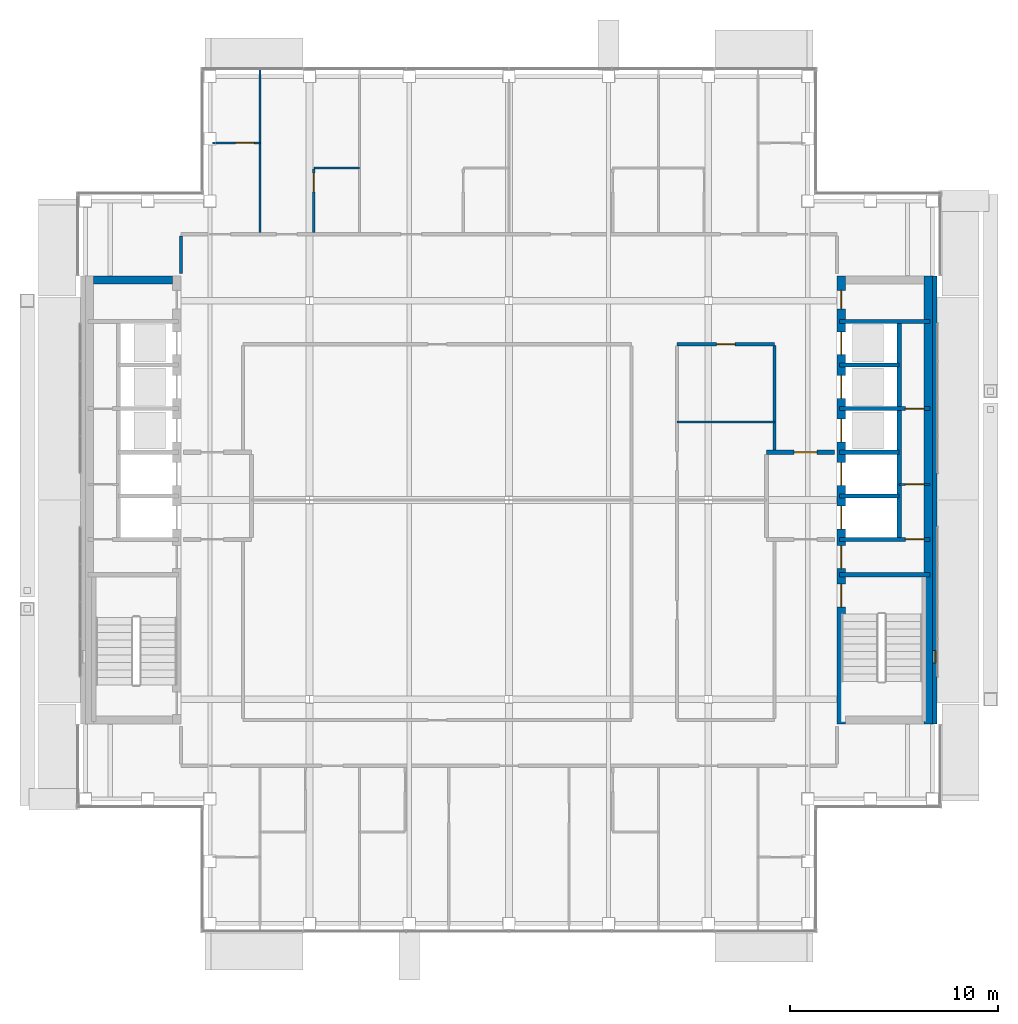
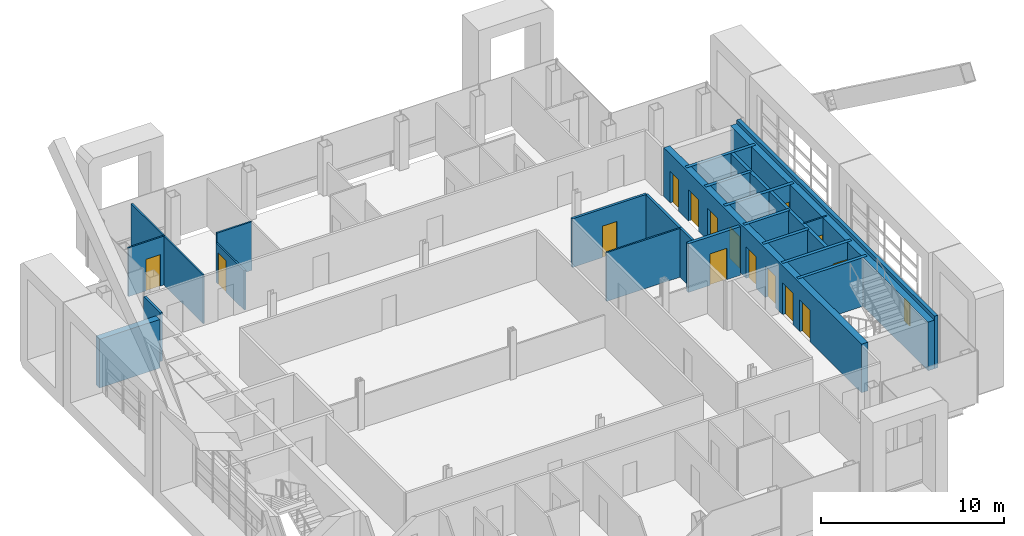
# One storey, part 14 of 23: 23 walls, 15 doors, 1 window, 16 openings.
"""IFC4 building model written with IfcOpenShell, lengths in metres."""

from ifc_helpers import new_model, si_unit, direction, frame, frame_2d, origin, place, context, subcontext, project, spatial, rectangle, extrude, material, layer, layer_set, type_object, element, fill, save


model = new_model("IFC4")

# Units and contexts
model_context = context("Model", 3, precision=1e-05, world=origin(), true_north=direction((0.0, 1.0)))
body_context = subcontext(model_context, "Body", "Model", "MODEL_VIEW")
ifc_project = project(units=[si_unit("LENGTHUNIT", "METRE"), si_unit("AREAUNIT", "SQUARE_METRE"), si_unit("VOLUMEUNIT", "CUBIC_METRE"), si_unit("PLANEANGLEUNIT", "RADIAN"), si_unit("MASSUNIT", "GRAM", prefix="KILO")], contexts=[model_context])

# Site, building, storey
site_placement = place(None, origin())
site = spatial("IfcSite", under=ifc_project, at=site_placement, CompositionType="ELEMENT")
building_placement = place(site_placement, origin())
building = spatial("IfcBuilding", under=site, at=building_placement, Name="Cobrizo Arcos Hotel Tower", CompositionType="ELEMENT")
storey_placement = place(building_placement, frame((0.0, 0.0, 262.0)))
storey = spatial("IfcBuildingStorey", under=building, at=storey_placement, Name="L69", CompositionType="ELEMENT", Elevation=262.0)

# Wall, opening, door
ifc_material_1 = material(Name="Gypsum board partition")
ifc_layer_1 = layer(ifc_material_1, 0.14990234375)
ifc_layer_set_1 = layer_set([ifc_layer_1], Name="Corridor wall EI 60 150")
wall_type_1 = type_object("IfcWallType", Name="Corridor wall EI 60 150", PredefinedType="PARTITIONING", material=ifc_layer_set_1)
wall_1_placement = place(storey_placement, frame((8.10009765625, 7.5, 0.0), z_axis=(0.0, 0.0, 1.0), x_axis=(1.0, 0.0, 0.0)))
wall_1 = element("IfcWall", 1, at=wall_1_placement, inside=storey, type_object=wall_type_1, Name="Partition 037", PredefinedType="PARTITIONING", context=body_context, shape_type="SweptSolid", body=[
    extrude(rectangle(XDim=4.699951171875, YDim=0.14990234375, at=frame_2d((2.35009765625, 0.0))), origin(), (0.0, 0.0, 1.0), 3.25),
])
opening_1_placement = place(wall_1_placement, frame((1.89990234375, 0.0, 0.0)))
opening_1 = element("IfcOpeningElement", 2, at=opening_1_placement, cuts=wall_1, Name="Opening ED-13", PredefinedType="OPENING", context=body_context, shape_type="SweptSolid", body=[
    extrude(rectangle(XDim=0.89990234375, YDim=2.10009765625, at=frame_2d((0.449951171875, 1.050048828125))), frame((0.0, 0.0869140625, 0.0), z_axis=(0.0, -1.0, 0.0), x_axis=(1.0, 0.0, 0.0)), (0.0, 0.0, 1.0), 0.173828125),
])
ifc_material_2 = material(Name="Timber door leaf", Category="wood")
door_type_1 = type_object("IfcDoorType", Name="En-suite door 900x2100", OperationType="SINGLE_SWING_LEFT", PredefinedType="DOOR", material=ifc_material_2)
door_1_placement = place(opening_1_placement, origin())
door_1 = element("IfcDoor", 3, at=door_1_placement, inside=storey, type_object=door_type_1, Name="Door ED-13", OperationType="SINGLE_SWING_LEFT", OverallHeight=2.10009765625, OverallWidth=0.89990234375, PredefinedType="DOOR", context=body_context, shape_type="SweptSolid", body=[
    extrude(rectangle(XDim=0.89990234375, YDim=2.10009765625, at=frame_2d((0.449951171875, 1.050048828125))), frame((0.0, 0.02490234375, 0.0), z_axis=(0.0, -1.0, 0.0), x_axis=(1.0, 0.0, 0.0)), (0.0, 0.0, 1.0), 0.050048828125),
])
fill(opening_1, door_1)

# Walls
wall_2_placement = place(storey_placement, frame((-15.800048828125, 10.919921875, 0.0), z_axis=(0.0, 0.0, 1.0), x_axis=(0.0, 1.0, 0.0)))
element("IfcWall", 4, at=wall_2_placement, inside=storey, type_object=wall_type_1, Name="Partition 050", PredefinedType="PARTITIONING", context=body_context, shape_type="SweptSolid", body=[
    extrude(rectangle(XDim=1.80517578125, YDim=0.14990234375, at=frame_2d((0.902587890625, 0.0))), origin(), (0.0, 0.0, 1.0), 3.25),
])
wall_3_placement = place(storey_placement, frame((12.800048828125, 2.39990234375, 0.0), z_axis=(0.0, 0.0, 1.0), x_axis=(0.0, 1.0, 0.0)))
element("IfcWall", 5, at=wall_3_placement, inside=storey, type_object=wall_type_1, Name="Partition 077", PredefinedType="PARTITIONING", context=body_context, shape_type="SweptSolid", body=[
    extrude(rectangle(XDim=5.050048828125, YDim=0.14990234375, at=frame_2d((2.52490234375, 0.0))), origin(), (0.0, 0.0, 1.0), 3.25),
])

# Wall, opening, window
ifc_material_3 = material(Name="Aluminium composite panel pale metal", Category="aluminium")
ifc_layer_2 = layer(ifc_material_3, 0.22509765625)
ifc_layer_set_2 = layer_set([ifc_layer_2], Name="EW-1 insulated panel wall 225")
wall_type_2 = type_object("IfcWallType", Name="EW-1 insulated panel wall 225", PredefinedType="SOLIDWALL", material=ifc_layer_set_2)
wall_4_placement = place(storey_placement, frame((20.512451171875, -10.800048828125, 0.0), z_axis=(0.0, 0.0, 1.0), x_axis=(0.0, 1.0, 0.0)))
wall_4 = element("IfcWall", 6, at=wall_4_placement, inside=storey, type_object=wall_type_2, Name="Core face wall L69 E", PredefinedType="SOLIDWALL", context=body_context, shape_type="SweptSolid", body=[
    extrude(rectangle(XDim=21.60009765625, YDim=0.22509765625, at=frame_2d((10.800048828125, 0.0))), origin(), (0.0, 0.0, 1.0), 3.5),
])
opening_2_placement = place(wall_4_placement, frame((2.949951171875, 0.0, 1.0)))
opening_2 = element("IfcOpeningElement", 7, at=opening_2_placement, cuts=wall_4, Name="Opening W-157", PredefinedType="OPENING", context=body_context, shape_type="SweptSolid", body=[
    extrude(rectangle(XDim=0.60009765625, YDim=1.5, at=frame_2d((0.300048828125, 0.75))), frame((0.0, 0.12451171875, 0.0), z_axis=(0.0, -1.0, 0.0), x_axis=(1.0, 0.0, 0.0)), (0.0, 0.0, 1.0), 0.2490234375),
])
ifc_material_4 = material(Name="Aluminium 6063-T6 and clear laminated glass", Category="aluminium")
window_type = type_object("IfcWindowType", Name="W-C1 core stair slot window 600x1500", PartitioningType="SINGLE_PANEL", PredefinedType="WINDOW", material=ifc_material_4)
window_placement = place(opening_2_placement, origin())
window = element("IfcWindow", 8, at=window_placement, inside=storey, type_object=window_type, Name="Core face wall L69 E window W-157", OverallHeight=1.5, OverallWidth=0.60009765625, PartitioningType="SINGLE_PANEL", PredefinedType="WINDOW", context=body_context, shape_type="SweptSolid", body=[
    extrude(rectangle(XDim=0.60009765625, YDim=1.5, at=frame_2d((0.300048828125, 0.75))), frame((0.0, -0.0224609375, 0.0), z_axis=(0.0, -1.0, 0.0), x_axis=(1.0, 0.0, 0.0)), (0.0, 0.0, 1.0), 0.06005859375),
])
fill(opening_2, window)

# Wall, opening, door
ifc_layer_3 = layer(ifc_material_1, 0.10009765625)
ifc_layer_set_3 = layer_set([ifc_layer_3], Name="Partition EI 30 100")
wall_type_3 = type_object("IfcWallType", Name="Partition EI 30 100", PredefinedType="PARTITIONING", material=ifc_layer_set_3)
wall_5_placement = place(storey_placement, frame((18.800048828125, 0.75, 0.0), z_axis=(0.0, 0.0, 1.0), x_axis=(1.0, 0.0, 0.0)))
wall_5 = element("IfcWall", 9, at=wall_5_placement, inside=storey, type_object=wall_type_3, Name="Partition 026", PredefinedType="PARTITIONING", context=body_context, shape_type="SweptSolid", body=[
    extrude(rectangle(XDim=1.47998046875, YDim=0.10009765625, at=frame_2d((0.739990234375, 0.0))), origin(), (0.0, 0.0, 1.0), 3.25),
])
opening_3_placement = place(wall_5_placement, frame((0.300048828125, 0.0, 0.0)))
opening_3 = element("IfcOpeningElement", 10, at=opening_3_placement, cuts=wall_5, Name="Opening RD-07", PredefinedType="OPENING", context=body_context, shape_type="SweptSolid", body=[
    extrude(rectangle(XDim=0.89990234375, YDim=2.10009765625, at=frame_2d((0.449951171875, 1.050048828125))), frame((0.0, 0.06201171875, 0.0), z_axis=(0.0, -1.0, 0.0), x_axis=(1.0, 0.0, 0.0)), (0.0, 0.0, 1.0), 0.1240234375),
])
door_type_2 = type_object("IfcDoorType", Name="Room door FD30 900x2100", OperationType="SINGLE_SWING_LEFT", PredefinedType="DOOR", material=ifc_material_2)
door_2_placement = place(opening_3_placement, origin())
door_2 = element("IfcDoor", 11, at=door_2_placement, inside=storey, type_object=door_type_2, Name="Door RD-07", OperationType="SINGLE_SWING_RIGHT", OverallHeight=2.10009765625, OverallWidth=0.89990234375, PredefinedType="DOOR", context=body_context, shape_type="SweptSolid", body=[
    extrude(rectangle(XDim=0.89990234375, YDim=2.10009765625, at=frame_2d((0.449951171875, 1.050048828125))), frame((0.0, 0.02490234375, 0.0), z_axis=(0.0, -1.0, 0.0), x_axis=(1.0, 0.0, 0.0)), (0.0, 0.0, 1.0), 0.050048828125),
])
fill(opening_3, door_2)

# Walls
wall_6_placement = place(storey_placement, frame((8.10009765625, 3.75, 0.0), z_axis=(0.0, 0.0, 1.0), x_axis=(1.0, 0.0, 0.0)))
element("IfcWall", 12, at=wall_6_placement, inside=storey, type_object=wall_type_3, Name="Partition 031", PredefinedType="PARTITIONING", context=body_context, shape_type="SweptSolid", body=[
    extrude(rectangle(XDim=4.699951171875, YDim=0.10009765625, at=frame_2d((2.35009765625, 0.0))), origin(), (0.0, 0.0, 1.0), 3.25),
])
wall_7_placement = place(storey_placement, frame((-9.39990234375, 16.0, 0.0), z_axis=(0.0, 0.0, 1.0), x_axis=(1.0, 0.0, 0.0)))
element("IfcWall", 13, at=wall_7_placement, inside=storey, type_object=wall_type_3, Name="Partition 041", PredefinedType="PARTITIONING", context=body_context, shape_type="SweptSolid", body=[
    extrude(rectangle(XDim=2.199951171875, YDim=0.10009765625, at=frame_2d((1.10009765625, 0.0))), origin(), (0.0, 0.0, 1.0), 3.25),
])

# Wall, opening, door
wall_8_placement = place(storey_placement, frame((-14.280029296875, 17.199951171875, 0.0), z_axis=(0.0, 0.0, 1.0), x_axis=(1.0, 0.0, 0.0)))
wall_8 = element("IfcWall", 14, at=wall_8_placement, inside=storey, type_object=wall_type_3, Name="Partition 044", PredefinedType="PARTITIONING", context=body_context, shape_type="SweptSolid", body=[
    extrude(rectangle(XDim=2.280029296875, YDim=0.10009765625, at=frame_2d((1.14013671875, 0.0))), origin(), (0.0, 0.0, 1.0), 3.25),
])
opening_4_placement = place(wall_8_placement, frame((1.110107421875, 0.0, 0.0)))
opening_4 = element("IfcOpeningElement", 15, at=opening_4_placement, cuts=wall_8, Name="Opening ED-09", PredefinedType="OPENING", context=body_context, shape_type="SweptSolid", body=[
    extrude(rectangle(XDim=0.89990234375, YDim=2.10009765625, at=frame_2d((0.449951171875, 1.050048828125))), frame((0.0, 0.06201171875, 0.0), z_axis=(0.0, -1.0, 0.0), x_axis=(1.0, 0.0, 0.0)), (0.0, 0.0, 1.0), 0.1240234375),
])
door_3_placement = place(opening_4_placement, origin())
door_3 = element("IfcDoor", 16, at=door_3_placement, inside=storey, type_object=door_type_1, Name="Door ED-09", OperationType="SINGLE_SWING_RIGHT", OverallHeight=2.10009765625, OverallWidth=0.89990234375, PredefinedType="DOOR", context=body_context, shape_type="SweptSolid", body=[
    extrude(rectangle(XDim=0.89990234375, YDim=2.10009765625, at=frame_2d((0.449951171875, 1.050048828125))), frame((0.0, 0.02490234375, 0.0), z_axis=(0.0, -1.0, 0.0), x_axis=(1.0, 0.0, 0.0)), (0.0, 0.0, 1.0), 0.050048828125),
])
fill(opening_4, door_3)

# Wall
wall_9_placement = place(storey_placement, frame((-12.0, 12.875, 0.0), z_axis=(0.0, 0.0, 1.0), x_axis=(0.0, 1.0, 0.0)))
element("IfcWall", 17, at=wall_9_placement, inside=storey, type_object=wall_type_3, Name="Partition 055", PredefinedType="PARTITIONING", context=body_context, shape_type="SweptSolid", body=[
    extrude(rectangle(XDim=7.85498046875, YDim=0.10009765625, at=frame_2d((3.927490234375, 0.0))), origin(), (0.0, 0.0, 1.0), 3.25),
])

# Wall, opening, door
wall_10_placement = place(storey_placement, frame((-9.39990234375, 12.875, 0.0), z_axis=(0.0, 0.0, 1.0), x_axis=(0.0, 1.0, 0.0)))
wall_10 = element("IfcWall", 18, at=wall_10_placement, inside=storey, type_object=wall_type_3, Name="Partition 057", PredefinedType="PARTITIONING", context=body_context, shape_type="SweptSolid", body=[
    extrude(rectangle(XDim=3.074951171875, YDim=0.10009765625, at=frame_2d((1.53759765625, 0.0))), origin(), (0.0, 0.0, 1.0), 2.6279296875),
])
opening_5_placement = place(wall_10_placement, frame((1.970947265625, 0.0, 0.0)))
opening_5 = element("IfcOpeningElement", 19, at=opening_5_placement, cuts=wall_10, Name="Opening ED-01", PredefinedType="OPENING", context=body_context, shape_type="SweptSolid", body=[
    extrude(rectangle(XDim=0.89990234375, YDim=2.10009765625, at=frame_2d((0.449951171875, 1.050048828125))), frame((0.0, 0.06201171875, 0.0), z_axis=(0.0, -1.0, 0.0), x_axis=(1.0, 0.0, 0.0)), (0.0, 0.0, 1.0), 0.1240234375),
])
door_4_placement = place(opening_5_placement, origin())
door_4 = element("IfcDoor", 20, at=door_4_placement, inside=storey, type_object=door_type_1, Name="Door ED-01", OperationType="SINGLE_SWING_LEFT", OverallHeight=2.10009765625, OverallWidth=0.89990234375, PredefinedType="DOOR", context=body_context, shape_type="SweptSolid", body=[
    extrude(rectangle(XDim=0.89990234375, YDim=2.10009765625, at=frame_2d((0.449951171875, 1.050048828125))), frame((0.0, 0.02490234375, 0.0), z_axis=(0.0, -1.0, 0.0), x_axis=(1.0, 0.0, 0.0)), (0.0, 0.0, 1.0), 0.050048828125),
])
fill(opening_5, door_4)

# Wall, openings, doors
ifc_material_5 = material(Name="Concrete f'c 40 MPa", Category="concrete")
ifc_layer_4 = layer(ifc_material_5, 0.39990234375)
ifc_layer_set_4 = layer_set([ifc_layer_4], Name="RC core wall 400 f'c 40")
wall_type_4 = type_object("IfcWallType", Name="RC core wall 400 f'c 40", PredefinedType="SHEAR", material=ifc_layer_set_4)
wall_11_placement = place(storey_placement, frame((16.0, -10.800048828125, 0.0), z_axis=(0.0, 0.0, 1.0), x_axis=(0.0, 1.0, 0.0)))
wall_11 = element("IfcWall", 21, at=wall_11_placement, inside=storey, type_object=wall_type_4, Name="Core wall CW4, east core, inner face, L69", PredefinedType="SHEAR", context=body_context, shape_type="SweptSolid", body=[
    extrude(rectangle(XDim=21.60009765625, YDim=0.39990234375, at=frame_2d((10.800048828125, 0.0))), origin(), (0.0, 0.0, 1.0), 3.25),
])
opening_6_placement = place(wall_11_placement, frame((9.39990234375, 0.0, 0.0)))
opening_6 = element("IfcOpeningElement", 22, at=opening_6_placement, cuts=wall_11, Name="Opening LD-06", PredefinedType="OPENING", context=body_context, shape_type="SweptSolid", body=[
    extrude(rectangle(XDim=1.10009765625, YDim=2.10009765625, at=frame_2d((0.550048828125, 1.050048828125))), frame((0.0, 0.2119140625, 0.0), z_axis=(0.0, -1.0, 0.0), x_axis=(1.0, 0.0, 0.0)), (0.0, 0.0, 1.0), 0.423828125),
])
opening_7_placement = place(wall_11_placement, frame((11.5, 0.0, 0.0)))
opening_7 = element("IfcOpeningElement", 23, at=opening_7_placement, cuts=wall_11, Name="Opening LD-07", PredefinedType="OPENING", context=body_context, shape_type="SweptSolid", body=[
    extrude(rectangle(XDim=1.10009765625, YDim=2.10009765625, at=frame_2d((0.550048828125, 1.050048828125))), frame((0.0, 0.2119140625, 0.0), z_axis=(0.0, -1.0, 0.0), x_axis=(1.0, 0.0, 0.0)), (0.0, 0.0, 1.0), 0.423828125),
])
opening_8_placement = place(wall_11_placement, frame((13.60009765625, 0.0, 0.0)))
opening_8 = element("IfcOpeningElement", 24, at=opening_8_placement, cuts=wall_11, Name="Opening LD-08", PredefinedType="OPENING", context=body_context, shape_type="SweptSolid", body=[
    extrude(rectangle(XDim=1.10009765625, YDim=2.10009765625, at=frame_2d((0.550048828125, 1.050048828125))), frame((0.0, 0.2119140625, 0.0), z_axis=(0.0, -1.0, 0.0), x_axis=(1.0, 0.0, 0.0)), (0.0, 0.0, 1.0), 0.423828125),
])
opening_9_placement = place(wall_11_placement, frame((15.699951171875, 0.0, 0.0)))
opening_9 = element("IfcOpeningElement", 25, at=opening_9_placement, cuts=wall_11, Name="Opening LD-09", PredefinedType="OPENING", context=body_context, shape_type="SweptSolid", body=[
    extrude(rectangle(XDim=1.10009765625, YDim=2.10009765625, at=frame_2d((0.550048828125, 1.050048828125))), frame((0.0, 0.2119140625, 0.0), z_axis=(0.0, -1.0, 0.0), x_axis=(1.0, 0.0, 0.0)), (0.0, 0.0, 1.0), 0.423828125),
])
opening_10_placement = place(wall_11_placement, frame((17.800048828125, 0.0, 0.0)))
opening_10 = element("IfcOpeningElement", 26, at=opening_10_placement, cuts=wall_11, Name="Opening LD-10", PredefinedType="OPENING", context=body_context, shape_type="SweptSolid", body=[
    extrude(rectangle(XDim=1.10009765625, YDim=2.10009765625, at=frame_2d((0.550048828125, 1.050048828125))), frame((0.0, 0.2119140625, 0.0), z_axis=(0.0, -1.0, 0.0), x_axis=(1.0, 0.0, 0.0)), (0.0, 0.0, 1.0), 0.423828125),
])
opening_11_placement = place(wall_11_placement, frame((5.64208984375, 0.0, 0.0)))
opening_11 = element("IfcOpeningElement", 27, at=opening_11_placement, cuts=wall_11, Name="Opening SD-02", PredefinedType="OPENING", context=body_context, shape_type="SweptSolid", body=[
    extrude(rectangle(XDim=1.10009765625, YDim=2.10009765625, at=frame_2d((0.550048828125, 1.050048828125))), frame((0.0, 0.2119140625, 0.0), z_axis=(0.0, -1.0, 0.0), x_axis=(1.0, 0.0, 0.0)), (0.0, 0.0, 1.0), 0.423828125),
])
opening_12_placement = place(wall_11_placement, frame((7.5, 0.0, 0.0)))
opening_12 = element("IfcOpeningElement", 28, at=opening_12_placement, cuts=wall_11, Name="Opening FD-04", PredefinedType="OPENING", context=body_context, shape_type="SweptSolid", body=[
    extrude(rectangle(XDim=1.10009765625, YDim=2.10009765625, at=frame_2d((0.550048828125, 1.050048828125))), frame((0.0, 0.2119140625, 0.0), z_axis=(0.0, -1.0, 0.0), x_axis=(1.0, 0.0, 0.0)), (0.0, 0.0, 1.0), 0.423828125),
])
opening_13_placement = place(wall_11_placement, frame((20.0, 0.0, 0.0)))
opening_13 = element("IfcOpeningElement", 29, at=opening_13_placement, cuts=wall_11, Name="Opening RD-05", PredefinedType="OPENING", context=body_context, shape_type="SweptSolid", body=[
    extrude(rectangle(XDim=0.89990234375, YDim=2.10009765625, at=frame_2d((0.449951171875, 1.050048828125))), frame((0.0, 0.2119140625, 0.0), z_axis=(0.0, -1.0, 0.0), x_axis=(1.0, 0.0, 0.0)), (0.0, 0.0, 1.0), 0.423828125),
])
ifc_material_6 = material(Name="Steel door leaf", Category="steel")
door_type_3 = type_object("IfcDoorType", Name="Fire door FD60 1100x2100", OperationType="SINGLE_SWING_LEFT", PredefinedType="DOOR", material=ifc_material_6)
door_5_placement = place(opening_12_placement, origin())
door_5 = element("IfcDoor", 30, at=door_5_placement, inside=storey, type_object=door_type_3, Name="Door FD-04", OperationType="SINGLE_SWING_RIGHT", OverallHeight=2.10009765625, OverallWidth=1.10009765625, PredefinedType="DOOR", context=body_context, shape_type="SweptSolid", body=[
    extrude(rectangle(XDim=1.10009765625, YDim=2.10009765625, at=frame_2d((0.550048828125, 1.050048828125))), frame((0.0, 0.02490234375, 0.0), z_axis=(0.0, -1.0, 0.0), x_axis=(1.0, 0.0, 0.0)), (0.0, 0.0, 1.0), 0.050048828125),
])
fill(opening_12, door_5)
door_type_4 = type_object("IfcDoorType", Name="Lift landing door 1100x2100", OperationType="SLIDING_TO_LEFT", PredefinedType="DOOR", material=ifc_material_6)
door_6_placement = place(opening_6_placement, origin())
door_6 = element("IfcDoor", 31, at=door_6_placement, inside=storey, type_object=door_type_4, Name="Lift landing door LD-06", OperationType="SLIDING_TO_LEFT", OverallHeight=2.10009765625, OverallWidth=1.10009765625, PredefinedType="DOOR", context=body_context, shape_type="SweptSolid", body=[
    extrude(rectangle(XDim=1.10009765625, YDim=2.10009765625, at=frame_2d((0.550048828125, 1.050048828125))), frame((0.0, 0.02490234375, 0.0), z_axis=(0.0, -1.0, 0.0), x_axis=(1.0, 0.0, 0.0)), (0.0, 0.0, 1.0), 0.050048828125),
])
fill(opening_6, door_6)
door_7_placement = place(opening_7_placement, origin())
door_7 = element("IfcDoor", 32, at=door_7_placement, inside=storey, type_object=door_type_4, Name="Lift landing door LD-07", OperationType="SLIDING_TO_LEFT", OverallHeight=2.10009765625, OverallWidth=1.10009765625, PredefinedType="DOOR", context=body_context, shape_type="SweptSolid", body=[
    extrude(rectangle(XDim=1.10009765625, YDim=2.10009765625, at=frame_2d((0.550048828125, 1.050048828125))), frame((0.0, 0.02490234375, 0.0), z_axis=(0.0, -1.0, 0.0), x_axis=(1.0, 0.0, 0.0)), (0.0, 0.0, 1.0), 0.050048828125),
])
fill(opening_7, door_7)
door_8_placement = place(opening_8_placement, origin())
door_8 = element("IfcDoor", 33, at=door_8_placement, inside=storey, type_object=door_type_4, Name="Lift landing door LD-08", OperationType="SLIDING_TO_LEFT", OverallHeight=2.10009765625, OverallWidth=1.10009765625, PredefinedType="DOOR", context=body_context, shape_type="SweptSolid", body=[
    extrude(rectangle(XDim=1.10009765625, YDim=2.10009765625, at=frame_2d((0.550048828125, 1.050048828125))), frame((0.0, 0.02490234375, 0.0), z_axis=(0.0, -1.0, 0.0), x_axis=(1.0, 0.0, 0.0)), (0.0, 0.0, 1.0), 0.050048828125),
])
fill(opening_8, door_8)
door_9_placement = place(opening_9_placement, origin())
door_9 = element("IfcDoor", 34, at=door_9_placement, inside=storey, type_object=door_type_4, Name="Lift landing door LD-09", OperationType="SLIDING_TO_LEFT", OverallHeight=2.10009765625, OverallWidth=1.10009765625, PredefinedType="DOOR", context=body_context, shape_type="SweptSolid", body=[
    extrude(rectangle(XDim=1.10009765625, YDim=2.10009765625, at=frame_2d((0.550048828125, 1.050048828125))), frame((0.0, 0.02490234375, 0.0), z_axis=(0.0, -1.0, 0.0), x_axis=(1.0, 0.0, 0.0)), (0.0, 0.0, 1.0), 0.050048828125),
])
fill(opening_9, door_9)
door_10_placement = place(opening_10_placement, origin())
door_10 = element("IfcDoor", 35, at=door_10_placement, inside=storey, type_object=door_type_4, Name="Lift landing door LD-10", OperationType="SLIDING_TO_LEFT", OverallHeight=2.10009765625, OverallWidth=1.10009765625, PredefinedType="DOOR", context=body_context, shape_type="SweptSolid", body=[
    extrude(rectangle(XDim=1.10009765625, YDim=2.10009765625, at=frame_2d((0.550048828125, 1.050048828125))), frame((0.0, 0.02490234375, 0.0), z_axis=(0.0, -1.0, 0.0), x_axis=(1.0, 0.0, 0.0)), (0.0, 0.0, 1.0), 0.050048828125),
])
fill(opening_10, door_10)
door_11_placement = place(opening_13_placement, origin())
door_11 = element("IfcDoor", 36, at=door_11_placement, inside=storey, type_object=door_type_2, Name="Door RD-05", OperationType="SINGLE_SWING_LEFT", OverallHeight=2.10009765625, OverallWidth=0.89990234375, PredefinedType="DOOR", context=body_context, shape_type="SweptSolid", body=[
    extrude(rectangle(XDim=0.89990234375, YDim=2.10009765625, at=frame_2d((0.449951171875, 1.050048828125))), frame((0.0, 0.02490234375, 0.0), z_axis=(0.0, -1.0, 0.0), x_axis=(1.0, 0.0, 0.0)), (0.0, 0.0, 1.0), 0.050048828125),
])
fill(opening_13, door_11)
door_type_5 = type_object("IfcDoorType", Name="Stair door FD60S 1100x2100", OperationType="SINGLE_SWING_LEFT", PredefinedType="DOOR", material=ifc_material_6)
door_12_placement = place(opening_11_placement, origin())
door_12 = element("IfcDoor", 37, at=door_12_placement, inside=storey, type_object=door_type_5, Name="Door SD-02", OperationType="SINGLE_SWING_LEFT", OverallHeight=2.10009765625, OverallWidth=1.10009765625, PredefinedType="DOOR", context=body_context, shape_type="SweptSolid", body=[
    extrude(rectangle(XDim=1.10009765625, YDim=2.10009765625, at=frame_2d((0.550048828125, 1.050048828125))), frame((0.0, 0.02490234375, 0.0), z_axis=(0.0, -1.0, 0.0), x_axis=(1.0, 0.0, 0.0)), (0.0, 0.0, 1.0), 0.050048828125),
])
fill(opening_11, door_12)

# Walls
wall_12_placement = place(storey_placement, frame((20.199951171875, -10.800048828125, 0.0), z_axis=(0.0, 0.0, 1.0), x_axis=(0.0, 1.0, 0.0)))
element("IfcWall", 38, at=wall_12_placement, inside=storey, type_object=wall_type_4, Name="Core wall CW4, east core, outer face, L69", PredefinedType="SHEAR", context=body_context, shape_type="SweptSolid", body=[
    extrude(rectangle(XDim=21.60009765625, YDim=0.39990234375, at=frame_2d((10.800048828125, 0.0))), origin(), (0.0, 0.0, 1.0), 3.25),
])
wall_13_placement = place(storey_placement, frame((-20.0, 10.60009765625, 0.0), z_axis=(0.0, 0.0, 1.0), x_axis=(1.0, 0.0, 0.0)))
element("IfcWall", 39, at=wall_13_placement, inside=storey, type_object=wall_type_4, Name="Core wall CW4, west core, north end, L69", PredefinedType="SHEAR", context=body_context, shape_type="SweptSolid", body=[
    extrude(rectangle(XDim=3.800048828125, YDim=0.39990234375, at=frame_2d((1.89990234375, 0.0))), origin(), (0.0, 0.0, 1.0), 3.25),
])

# Wall, opening, door
ifc_layer_5 = layer(ifc_material_1, 0.199951171875)
ifc_layer_set_5 = layer_set([ifc_layer_5], Name="Shaft wall EI 120 200")
wall_type_5 = type_object("IfcWallType", Name="Shaft wall EI 120 200", PredefinedType="PARTITIONING", material=ifc_layer_set_5)
wall_14_placement = place(storey_placement, frame((15.919921875, -1.89990234375, 0.0), z_axis=(0.0, 0.0, 1.0), x_axis=(1.0, 0.0, 0.0)))
wall_14 = element("IfcWall", 40, at=wall_14_placement, inside=storey, type_object=wall_type_5, Name="Partition 014", PredefinedType="PARTITIONING", context=body_context, shape_type="SweptSolid", body=[
    extrude(rectangle(XDim=4.360107421875, YDim=0.199951171875, at=frame_2d((2.18017578125, 0.0))), origin(), (0.0, 0.0, 1.0), 3.25),
])
opening_14_placement = place(wall_14_placement, frame((3.179931640625, 0.0, 0.0)))
opening_14 = element("IfcOpeningElement", 41, at=opening_14_placement, cuts=wall_14, Name="Opening RD-06", PredefinedType="OPENING", context=body_context, shape_type="SweptSolid", body=[
    extrude(rectangle(XDim=0.89990234375, YDim=2.10009765625, at=frame_2d((0.449951171875, 1.050048828125))), frame((0.0, 0.112060546875, 0.0), z_axis=(0.0, -1.0, 0.0), x_axis=(1.0, 0.0, 0.0)), (0.0, 0.0, 1.0), 0.223876953125),
])
door_13_placement = place(opening_14_placement, origin())
door_13 = element("IfcDoor", 42, at=door_13_placement, inside=storey, type_object=door_type_2, Name="Door RD-06", OperationType="SINGLE_SWING_RIGHT", OverallHeight=2.10009765625, OverallWidth=0.89990234375, PredefinedType="DOOR", context=body_context, shape_type="SweptSolid", body=[
    extrude(rectangle(XDim=0.89990234375, YDim=2.10009765625, at=frame_2d((0.449951171875, 1.050048828125))), frame((0.0, 0.02490234375, 0.0), z_axis=(0.0, -1.0, 0.0), x_axis=(1.0, 0.0, 0.0)), (0.0, 0.0, 1.0), 0.050048828125),
])
fill(opening_14, door_13)

# Wall
wall_15_placement = place(storey_placement, frame((15.919921875, 0.199951171875, 0.0), z_axis=(0.0, 0.0, 1.0), x_axis=(1.0, 0.0, 0.0)))
element("IfcWall", 43, at=wall_15_placement, inside=storey, type_object=wall_type_5, Name="Partition 024", PredefinedType="PARTITIONING", context=body_context, shape_type="SweptSolid", body=[
    extrude(rectangle(XDim=2.880126953125, YDim=0.199951171875, at=frame_2d((1.43994140625, 0.0))), origin(), (0.0, 0.0, 1.0), 3.25),
])

# Wall, opening, door
wall_16_placement = place(storey_placement, frame((12.39990234375, 2.300048828125, 0.0), z_axis=(0.0, 0.0, 1.0), x_axis=(1.0, 0.0, 0.0)))
wall_16 = element("IfcWall", 44, at=wall_16_placement, inside=storey, type_object=wall_type_5, Name="Partition 029", PredefinedType="PARTITIONING", context=body_context, shape_type="SweptSolid", body=[
    extrude(rectangle(XDim=3.280029296875, YDim=0.199951171875, at=frame_2d((1.64013671875, 0.0))), origin(), (0.0, 0.0, 1.0), 3.25),
])
opening_15_placement = place(wall_16_placement, frame((1.340087890625, 0.0, 0.0)))
opening_15 = element("IfcOpeningElement", 45, at=opening_15_placement, cuts=wall_16, Name="Opening FD-05", PredefinedType="OPENING", context=body_context, shape_type="SweptSolid", body=[
    extrude(rectangle(XDim=1.10009765625, YDim=2.10009765625, at=frame_2d((0.550048828125, 1.050048828125))), frame((0.0, 0.112060546875, 0.0), z_axis=(0.0, -1.0, 0.0), x_axis=(1.0, 0.0, 0.0)), (0.0, 0.0, 1.0), 0.223876953125),
])
door_14_placement = place(opening_15_placement, origin())
door_14 = element("IfcDoor", 46, at=door_14_placement, inside=storey, type_object=door_type_3, Name="Door FD-05", OperationType="SINGLE_SWING_RIGHT", OverallHeight=2.10009765625, OverallWidth=1.10009765625, PredefinedType="DOOR", context=body_context, shape_type="SweptSolid", body=[
    extrude(rectangle(XDim=1.10009765625, YDim=2.10009765625, at=frame_2d((0.550048828125, 1.050048828125))), frame((0.0, 0.02490234375, 0.0), z_axis=(0.0, -1.0, 0.0), x_axis=(1.0, 0.0, 0.0)), (0.0, 0.0, 1.0), 0.050048828125),
])
fill(opening_15, door_14)

# Wall
wall_17_placement = place(storey_placement, frame((15.919921875, 2.300048828125, 0.0), z_axis=(0.0, 0.0, 1.0), x_axis=(1.0, 0.0, 0.0)))
element("IfcWall", 47, at=wall_17_placement, inside=storey, type_object=wall_type_5, Name="Partition 030", PredefinedType="PARTITIONING", context=body_context, shape_type="SweptSolid", body=[
    extrude(rectangle(XDim=2.880126953125, YDim=0.199951171875, at=frame_2d((1.43994140625, 0.0))), origin(), (0.0, 0.0, 1.0), 3.25),
])

# Wall, opening, door
wall_18_placement = place(storey_placement, frame((15.919921875, 4.39990234375, 0.0), z_axis=(0.0, 0.0, 1.0), x_axis=(1.0, 0.0, 0.0)))
wall_18 = element("IfcWall", 48, at=wall_18_placement, inside=storey, type_object=wall_type_5, Name="Partition 033", PredefinedType="PARTITIONING", context=body_context, shape_type="SweptSolid", body=[
    extrude(rectangle(XDim=4.360107421875, YDim=0.199951171875, at=frame_2d((2.18017578125, 0.0))), origin(), (0.0, 0.0, 1.0), 3.25),
])
opening_16_placement = place(wall_18_placement, frame((3.179931640625, 0.0, 0.0)))
opening_16 = element("IfcOpeningElement", 49, at=opening_16_placement, cuts=wall_18, Name="Opening RD-08", PredefinedType="OPENING", context=body_context, shape_type="SweptSolid", body=[
    extrude(rectangle(XDim=0.89990234375, YDim=2.10009765625, at=frame_2d((0.449951171875, 1.050048828125))), frame((0.0, 0.112060546875, 0.0), z_axis=(0.0, -1.0, 0.0), x_axis=(1.0, 0.0, 0.0)), (0.0, 0.0, 1.0), 0.223876953125),
])
door_15_placement = place(opening_16_placement, origin())
door_15 = element("IfcDoor", 50, at=door_15_placement, inside=storey, type_object=door_type_2, Name="Door RD-08", OperationType="SINGLE_SWING_RIGHT", OverallHeight=2.10009765625, OverallWidth=0.89990234375, PredefinedType="DOOR", context=body_context, shape_type="SweptSolid", body=[
    extrude(rectangle(XDim=0.89990234375, YDim=2.10009765625, at=frame_2d((0.449951171875, 1.050048828125))), frame((0.0, 0.02490234375, 0.0), z_axis=(0.0, -1.0, 0.0), x_axis=(1.0, 0.0, 0.0)), (0.0, 0.0, 1.0), 0.050048828125),
])
fill(opening_16, door_15)

# Walls
wall_19_placement = place(storey_placement, frame((15.919921875, 6.5, 0.0), z_axis=(0.0, 0.0, 1.0), x_axis=(1.0, 0.0, 0.0)))
element("IfcWall", 51, at=wall_19_placement, inside=storey, type_object=wall_type_5, Name="Partition 035", PredefinedType="PARTITIONING", context=body_context, shape_type="SweptSolid", body=[
    extrude(rectangle(XDim=2.880126953125, YDim=0.199951171875, at=frame_2d((1.43994140625, 0.0))), origin(), (0.0, 0.0, 1.0), 3.25),
])
wall_20_placement = place(storey_placement, frame((15.919921875, 8.60009765625, 0.0), z_axis=(0.0, 0.0, 1.0), x_axis=(1.0, 0.0, 0.0)))
element("IfcWall", 52, at=wall_20_placement, inside=storey, type_object=wall_type_5, Name="Partition 039", PredefinedType="PARTITIONING", context=body_context, shape_type="SweptSolid", body=[
    extrude(rectangle(XDim=4.360107421875, YDim=0.199951171875, at=frame_2d((2.18017578125, 0.0))), origin(), (0.0, 0.0, 1.0), 3.25),
])
wall_21_placement = place(storey_placement, frame((18.800048828125, -1.800048828125, 0.0), z_axis=(0.0, 0.0, 1.0), x_axis=(0.0, 1.0, 0.0)))
element("IfcWall", 53, at=wall_21_placement, inside=storey, type_object=wall_type_5, Name="Partition 080", PredefinedType="PARTITIONING", context=body_context, shape_type="SweptSolid", body=[
    extrude(rectangle(XDim=6.10009765625, YDim=0.199951171875, at=frame_2d((3.050048828125, 0.0))), origin(), (0.0, 0.0, 1.0), 3.25),
])
wall_22_placement = place(storey_placement, frame((18.800048828125, 4.5, 0.0), z_axis=(0.0, 0.0, 1.0), x_axis=(0.0, 1.0, 0.0)))
element("IfcWall", 54, at=wall_22_placement, inside=storey, type_object=wall_type_5, Name="Partition 081", PredefinedType="PARTITIONING", context=body_context, shape_type="SweptSolid", body=[
    extrude(rectangle(XDim=4.0, YDim=0.199951171875, at=frame_2d((2.0, 0.0))), origin(), (0.0, 0.0, 1.0), 3.25),
])
ifc_layer_6 = layer(ifc_material_5, 0.199951171875)
ifc_layer_set_6 = layer_set([ifc_layer_6], Name="Stair shaft wall 200")
wall_type_6 = type_object("IfcWallType", Name="Stair shaft wall 200", PredefinedType="SHEAR", material=ifc_layer_set_6)
wall_23_placement = place(storey_placement, frame((15.919921875, -3.60009765625, 0.0), z_axis=(0.0, 0.0, 1.0), x_axis=(1.0, 0.0, 0.0)))
element("IfcWall", 55, at=wall_23_placement, inside=storey, type_object=wall_type_6, Name="Stair shaft wall E", PredefinedType="SHEAR", context=body_context, shape_type="SweptSolid", body=[
    extrude(rectangle(XDim=4.360107421875, YDim=0.199951171875, at=frame_2d((2.18017578125, 0.0))), origin(), (0.0, 0.0, 1.0), 3.25),
])

save(model, "model.ifc")
